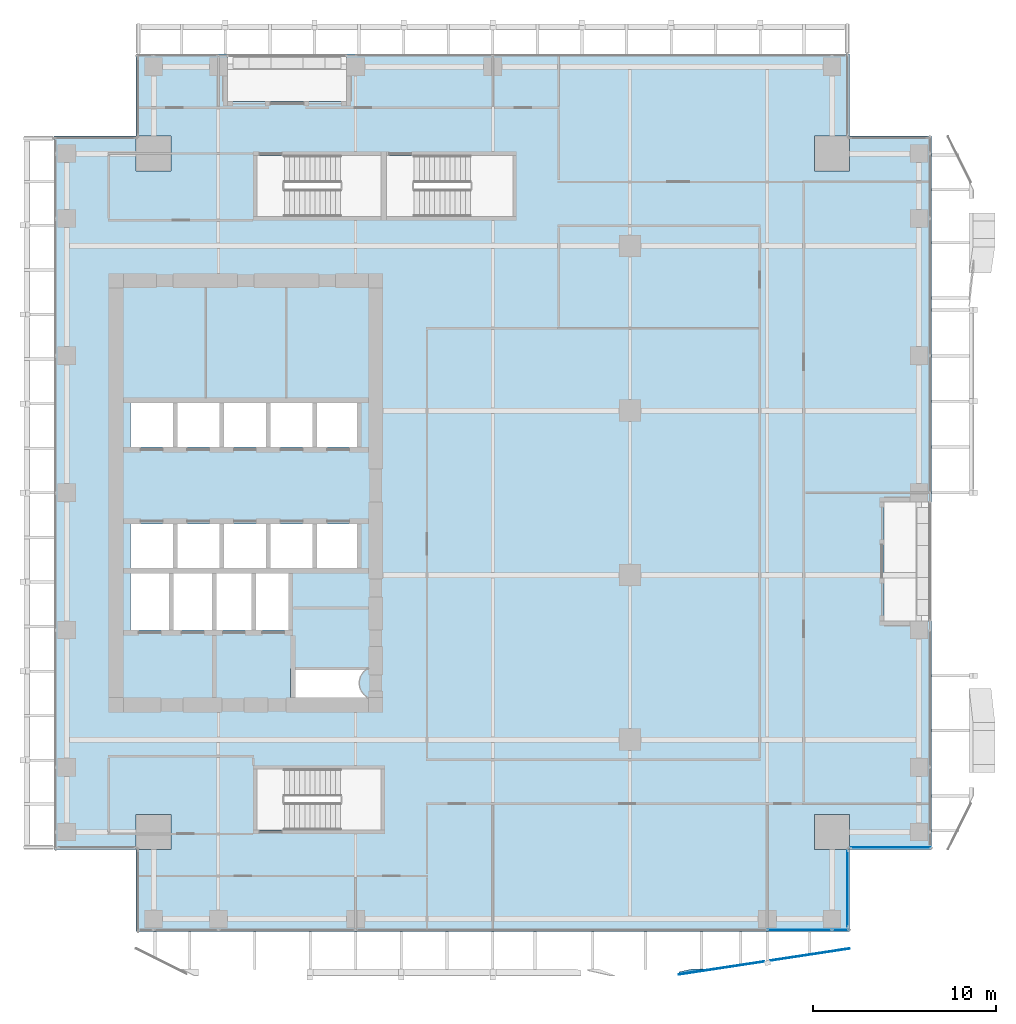
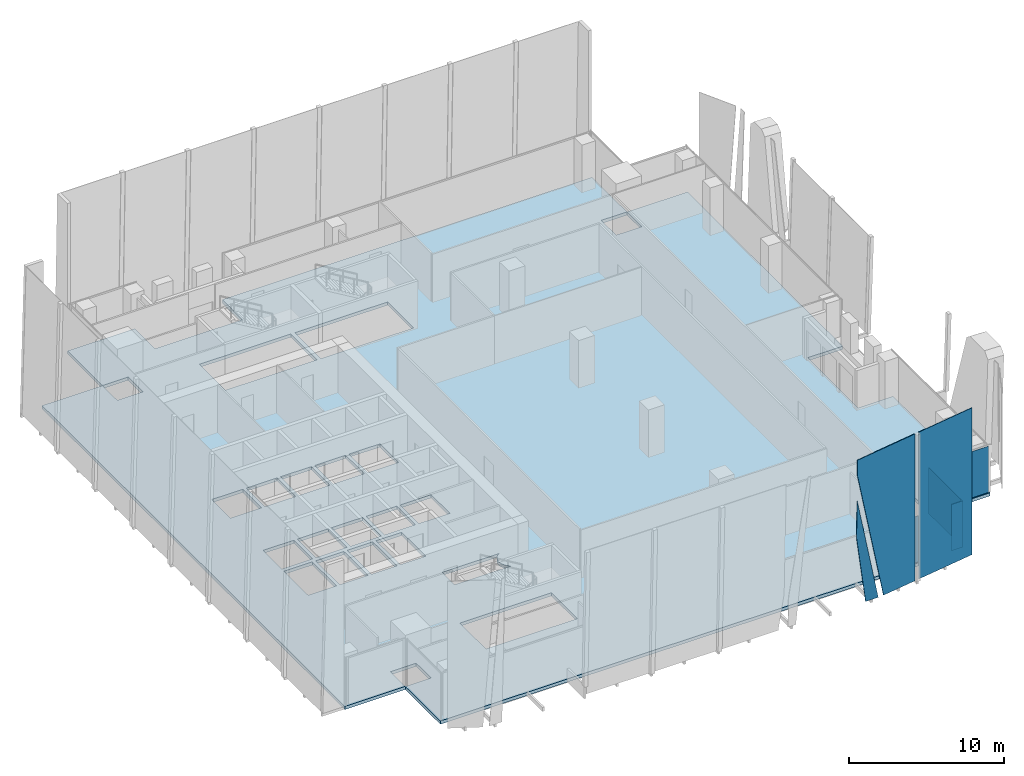
# One storey, part 24 of 35: 7 plates, 1 slab, 3 elements without a shape of their own.
"""IFC4 building model written with IfcOpenShell, lengths in metres."""

from ifc_helpers import new_model, si_unit, direction, frame, origin, origin_2d, place, context, subcontext, project, spatial, polyline, rectangle, outline, extrude, source, transform, mapped, material, layer, layer_set, type_object, element, aggregate, save


model = new_model("IFC4")

# Units and contexts
model_context = context("Model", 3, precision=1e-05, world=origin(), true_north=direction((0.0, 1.0)))
body_context = subcontext(model_context, "Body", "Model", "MODEL_VIEW")
ifc_project = project(units=[si_unit("LENGTHUNIT", "METRE"), si_unit("AREAUNIT", "SQUARE_METRE"), si_unit("VOLUMEUNIT", "CUBIC_METRE"), si_unit("PLANEANGLEUNIT", "RADIAN"), si_unit("MASSUNIT", "GRAM", prefix="KILO")], contexts=[model_context])

# Site, building, storey
site_placement = place(None, origin())
site = spatial("IfcSite", under=ifc_project, at=site_placement, CompositionType="ELEMENT")
building_placement = place(site_placement, origin())
building = spatial("IfcBuilding", under=site, at=building_placement, Name="Khomas Fold Tower", CompositionType="ELEMENT")
storey_placement = place(building_placement, frame((0.0, 0.0, 200.699951171875)))
storey = spatial("IfcBuildingStorey", under=building, at=storey_placement, Name="L44", CompositionType="ELEMENT", Elevation=200.699951171875)

# Plates
ifc_material_1 = material(Name="Clear laminated glass", Category="glass")
ifc_layer_1 = layer(ifc_material_1, 0.0400390625)
ifc_layer_set_1 = layer_set([ifc_layer_1], Name="Clear laminated glass")
plate_type_1 = type_object("IfcPlateType", Name="SK-Clear laminated glass leaf", PredefinedType="SHEET", material=ifc_layer_set_1)
plate_1_placement = place(storey_placement, frame((38.8818359375, 0.97314453125, 0.0), z_axis=(-6.0341036e-05, 0.999510328629, 0.031290562842), x_axis=(-0.999999998179, -6.0311489e-05, -1.888105e-06)))
element("IfcPlate", 1, at=plate_1_placement, inside=storey, type_object=plate_type_1, Name="OUTER SKIN glass L44 SG105-10", PredefinedType="SHEET", context=body_context, shape_type="SweptSolid", body=[
    extrude(outline(polyline([(0.0, 0.0), (0.9399414045388176, -1.9904033489557228e-22), (1.7119140656165746, 5.3881396870919955), (1.7119140621942095, 8.315841049846881), (0.0, 0.0)])), origin(), (0.0, 0.0, -1.0), 0.0400390625),
])
plate_2_placement = place(storey_placement, frame((39.290283203125, 1.004150390625, 0.0), z_axis=(-0.150253467675, 0.98864750819, 6.69471e-07), x_axis=(-0.201633007276, -0.030644606587, 0.978981633364)))
element("IfcPlate", 2, at=plate_2_placement, inside=storey, type_object=plate_type_1, Name="OUTER SKIN glass L44 SG105-11", PredefinedType="SHEET", context=body_context, shape_type="SweptSolid", body=[
    extrude(outline(polyline([(0.0, 0.0), (10.515949966938065, 0.0), (11.744696201587391, 0.2559811698059842), (10.7833507800538, 4.870576719143795), (-0.523934887136441, 2.5149624101861425), (0.0, 0.0)])), origin(), (0.0, 0.0, -1.0), 0.0400390625),
])
plate_3_placement = place(storey_placement, frame((42.169921875, 1.44189453125, 0.0), z_axis=(-0.150280921969, 0.98864333533, 0.0), x_axis=(0.0, 0.0, 1.0)))
element("IfcPlate", 3, at=plate_3_placement, inside=storey, type_object=plate_type_1, Name="OUTER SKIN glass L44 SG106-13", PredefinedType="SHEET", context=body_context, shape_type="SweptSolid", body=[
    extrude(outline(polyline([(0.0, 0.0), (11.550048828125, 0.0), (11.550048828125, 4.379818252206738), (0.0, 4.379818252206738), (0.0, 0.0)])), origin(), (0.0, 0.0, -1.0), 0.0400390625),
])

# Slab
ifc_material_2 = material(Name="Concrete C40/50", Category="concrete")
ifc_layer_2 = layer(ifc_material_2, 0.25)
ifc_layer_set_2 = layer_set([ifc_layer_2], Name="Concrete C40/50")
slab_type = type_object("IfcSlabType", Name="RC floor slab 250", PredefinedType="FLOOR", material=ifc_layer_set_2)
shared_shape_1 = source(origin(), body_context, "Body", "SweptSolid", [
    extrude(outline(polyline([(3.0, 7.5), (7.4951171875, 7.5), (7.4951171875, 9.405029296875), (9.405029296875, 9.405029296875), (9.405029296875, 7.4951171875), (7.5, 7.4951171875), (7.5, 3.0), (46.5, 3.0), (46.5, 7.4951171875), (44.594970703125, 7.4951171875), (44.594970703125, 9.405029296875), (46.5048828125, 9.405029296875), (46.5048828125, 7.5), (51.0, 7.5), (51.0, 20.0), (48.39990234375, 20.0), (48.39990234375, 26.5), (51.0, 26.5), (51.0, 46.5), (46.5048828125, 46.5), (46.5048828125, 44.594970703125), (44.594970703125, 44.594970703125), (44.594970703125, 46.5048828125), (46.5, 46.5048828125), (46.5, 51.0), (19.0, 51.0), (19.0, 48.39990234375), (12.5, 48.39990234375), (12.5, 51.0), (7.5, 51.0), (7.5, 46.5048828125), (9.405029296875, 46.5048828125), (9.405029296875, 44.594970703125), (7.4951171875, 44.594970703125), (7.4951171875, 46.5), (3.0, 46.5), (3.0, 7.5)]), holes=[polyline([(7.199951171875, 19.5), (7.199951171875, 22.60009765625), (9.300048828125, 22.60009765625), (9.300048828125, 19.5), (7.199951171875, 19.5)]), polyline([(7.199951171875, 22.89990234375), (7.199951171875, 25.300048828125), (9.5, 25.300048828125), (9.5, 22.89990234375), (7.199951171875, 22.89990234375)]), polyline([(7.199951171875, 29.5), (7.199951171875, 31.89990234375), (9.5, 31.89990234375), (9.5, 29.5), (7.199951171875, 29.5)]), polyline([(9.550048828125, 19.5), (9.550048828125, 22.60009765625), (11.64990234375, 22.60009765625), (11.64990234375, 19.5), (9.550048828125, 19.5)]), polyline([(9.75, 22.89990234375), (9.75, 25.300048828125), (12.050048828125, 25.300048828125), (12.050048828125, 22.89990234375), (9.75, 22.89990234375)]), polyline([(9.75, 29.5), (9.75, 31.89990234375), (12.050048828125, 31.89990234375), (12.050048828125, 29.5), (9.75, 29.5)]), polyline([(11.89990234375, 19.5), (11.89990234375, 22.60009765625), (13.800048828125, 22.60009765625), (13.800048828125, 19.5), (11.89990234375, 19.5)]), polyline([(12.300048828125, 22.89990234375), (12.300048828125, 25.300048828125), (14.60009765625, 25.300048828125), (14.60009765625, 22.89990234375), (12.300048828125, 22.89990234375)]), polyline([(12.300048828125, 29.5), (12.300048828125, 31.89990234375), (14.60009765625, 31.89990234375), (14.60009765625, 29.5), (12.300048828125, 29.5)]), polyline([(14.050048828125, 19.5), (14.050048828125, 22.60009765625), (15.949951171875, 22.60009765625), (15.949951171875, 19.5), (14.050048828125, 19.5)]), polyline([(14.10009765625, 8.550048828125), (14.10009765625, 11.89990234375), (20.89990234375, 11.89990234375), (20.89990234375, 8.550048828125), (14.10009765625, 8.550048828125)]), polyline([(14.10009765625, 42.10009765625), (14.10009765625, 45.449951171875), (20.89990234375, 45.449951171875), (20.89990234375, 42.10009765625), (14.10009765625, 42.10009765625)]), polyline([(14.85009765625, 22.89990234375), (14.85009765625, 25.300048828125), (17.14990234375, 25.300048828125), (17.14990234375, 22.89990234375), (14.85009765625, 22.89990234375)]), polyline([(14.85009765625, 29.5), (14.85009765625, 31.89990234375), (17.14990234375, 31.89990234375), (17.14990234375, 29.5), (14.85009765625, 29.5)]), polyline([(15.949951171875, 15.800048828125), (15.949951171875, 17.39990234375), (20.18896484375, 17.39990234375), (20.17578125, 17.393798828125), (20.10009765625, 17.348388671875), (20.029052734375, 17.295654296875), (19.963623046875, 17.236328125), (19.904296875, 17.1708984375), (19.851806640625, 17.10009765625), (19.806396484375, 17.0244140625), (19.7685546875, 16.9443359375), (19.73876953125, 16.861328125), (19.71728515625, 16.775634765625), (19.704345703125, 16.688232421875), (19.699951171875, 16.60009765625), (19.704345703125, 16.51171875), (19.71728515625, 16.42431640625), (19.73876953125, 16.338623046875), (19.7685546875, 16.255615234375), (19.806396484375, 16.17578125), (19.851806640625, 16.10009765625), (19.904296875, 16.029052734375), (19.963623046875, 15.963623046875), (20.029052734375, 15.904296875), (20.10009765625, 15.851806640625), (20.17578125, 15.806396484375), (20.18896484375, 15.800048828125), (15.949951171875, 15.800048828125)]), polyline([(17.39990234375, 22.89990234375), (17.39990234375, 25.300048828125), (19.699951171875, 25.300048828125), (19.699951171875, 22.89990234375), (17.39990234375, 22.89990234375)]), polyline([(17.39990234375, 29.5), (17.39990234375, 31.89990234375), (19.699951171875, 31.89990234375), (19.699951171875, 29.5), (17.39990234375, 29.5)]), polyline([(21.199951171875, 42.10009765625), (21.199951171875, 45.449951171875), (28.10009765625, 45.449951171875), (28.10009765625, 42.10009765625), (21.199951171875, 42.10009765625)])]), origin(), (0.0, 0.0, 1.0), 0.25),
])
slab_placement = place(storey_placement, frame((0.0, 0.0, -0.25)))
element("IfcSlab", 4, at=slab_placement, inside=storey, type_object=slab_type, Name="S-L44", PredefinedType="FLOOR", context=body_context, shape_type="MappedRepresentation", body=[
    mapped(shared_shape_1, transform((0.0, 0.0, 0.0))),
])

# Curtain wall, plate
ifc_material_3 = material(Name="Aluminium framed double glazing", Category="aluminium")
curtain_wall_type = type_object("IfcCurtainWallType", Name="SK-Unitised clear-glass wall, office floors CW2", PredefinedType="NOTDEFINED", material=ifc_material_3)
curtain_wall_1_placement = place(storey_placement, origin())
curtain_wall_1 = element("IfcCurtainWall", 5, at=curtain_wall_1_placement, inside=storey, type_object=curtain_wall_type, Name="CW2 corner return L44 02", PredefinedType="NOTDEFINED")
ifc_material_4 = material(Name="Clear double glazed unit")
ifc_layer_3 = layer(ifc_material_4, 0.030029296875)
ifc_layer_set_3 = layer_set([ifc_layer_3], Name="Clear double glazed unit")
plate_type_2 = type_object("IfcPlateType", Name="SK-Unitised clear-glass wall, office floors glass panel CW2-P", PredefinedType="CURTAIN_PANEL", material=ifc_layer_set_3)
shared_shape_2 = source(origin(), body_context, "Body", "SweptSolid", [
    extrude(rectangle(XDim=4.3798828125, YDim=0.030029296875, at=origin_2d()), origin(), (0.0, 0.0, 1.0), 3.639892578125),
])
plate_4_placement = place(storey_placement, frame((48.75, 7.60009765625, 0.0), z_axis=(0.0, 0.0, 1.0), x_axis=(1.0, 0.0, 0.0)))
plate_4 = element("IfcPlate", 6, at=plate_4_placement, type_object=plate_type_2, Name="CW2 glass panel 1", PredefinedType="CURTAIN_PANEL", context=body_context, shape_type="MappedRepresentation", body=[
    mapped(shared_shape_2, transform((0.0, 0.0, 0.0))),
])
aggregate(curtain_wall_1, [plate_4])

curtain_wall_2_placement = place(storey_placement, origin())
curtain_wall_2 = element("IfcCurtainWall", 7, at=curtain_wall_2_placement, inside=storey, type_object=curtain_wall_type, Name="CW2 run L44 00-0", PredefinedType="NOTDEFINED")
shared_shape_3 = source(origin(), body_context, "Body", "SweptSolid", [
    extrude(rectangle(XDim=3.489990234375, YDim=0.030029296875, at=origin_2d()), origin(), (0.0, 0.0, 1.0), 3.639892578125),
])
plate_5_placement = place(storey_placement, frame((43.77490234375, 3.10009765625, 0.0), z_axis=(0.0, 0.0, 1.0), x_axis=(1.0, 0.0, 0.0)))
plate_5 = element("IfcPlate", 8, at=plate_5_placement, type_object=plate_type_2, Name="CW2 glass panel 5", PredefinedType="CURTAIN_PANEL", context=body_context, shape_type="MappedRepresentation", body=[
    mapped(shared_shape_3, transform((0.0, 0.0, 0.0))),
])

curtain_wall_3_placement = place(storey_placement, origin())
curtain_wall_3 = element("IfcCurtainWall", 9, at=curtain_wall_3_placement, inside=storey, type_object=curtain_wall_type, Name="CW2 corner return L44 01", PredefinedType="NOTDEFINED")
shared_shape_4 = source(origin(), body_context, "Body", "SweptSolid", [
    extrude(rectangle(XDim=4.179931640625, YDim=0.030029296875, at=origin_2d()), origin(), (0.0, 0.0, 1.0), 3.639892578125),
])
plate_6_placement = place(storey_placement, frame((46.39990234375, 5.35009765625, 0.0), z_axis=(0.0, 0.0, 1.0), x_axis=(0.0, 1.0, 0.0)))
plate_6 = element("IfcPlate", 10, at=plate_6_placement, type_object=plate_type_2, Name="CW2 glass panel 1", PredefinedType="CURTAIN_PANEL", context=body_context, shape_type="MappedRepresentation", body=[
    mapped(shared_shape_4, transform((0.0, 0.0, 0.0))),
])
aggregate(curtain_wall_3, [plate_6])

# Plate
shared_shape_5 = source(origin(), body_context, "Body", "SweptSolid", [
    extrude(rectangle(XDim=0.860107421875, YDim=0.030029296875, at=origin_2d()), origin(), (0.0, 0.0, 1.0), 3.639892578125),
])
plate_7_placement = place(storey_placement, frame((46.010009765625, 3.10009765625, 0.0), z_axis=(0.0, 0.0, 1.0), x_axis=(1.0, 0.0, 0.0)))
plate_7 = element("IfcPlate", 11, at=plate_7_placement, type_object=plate_type_2, Name="CW2 glass panel 6", PredefinedType="CURTAIN_PANEL", context=body_context, shape_type="MappedRepresentation", body=[
    mapped(shared_shape_5, transform((0.0, 0.0, 0.0))),
])

aggregate(curtain_wall_2, [plate_5, plate_7])

save(model, "model.ifc")
